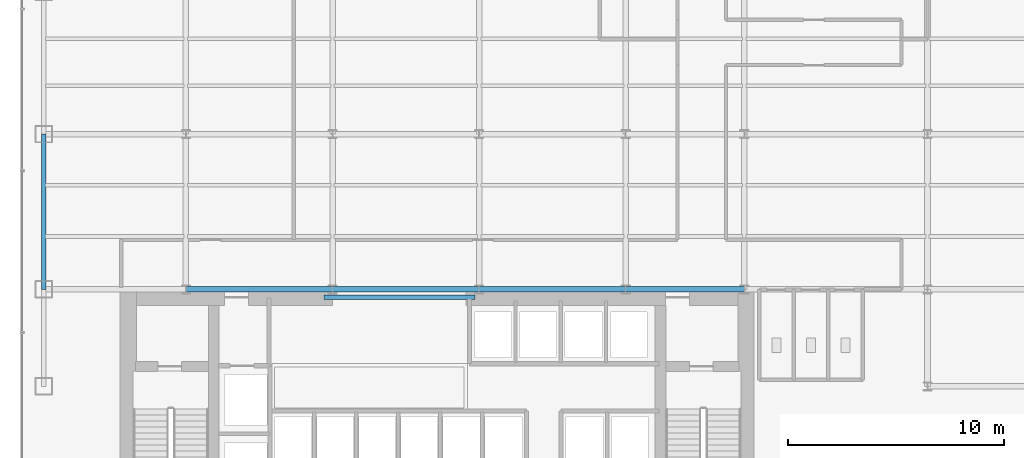
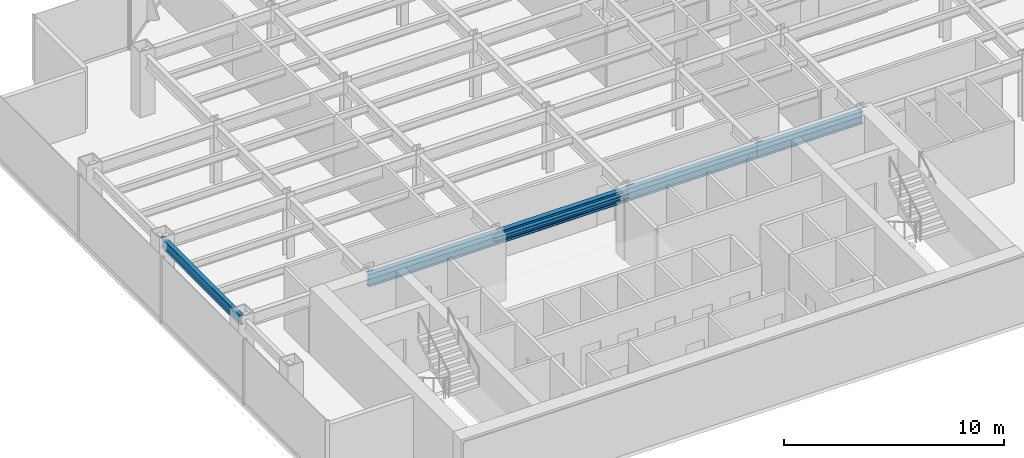
# One storey, part 3 of 26: 6 beams.
"""IFC4 building model written with IfcOpenShell, lengths in metres."""

from ifc_helpers import new_model, si_unit, derived_unit, direction, frame, origin, origin_2d, place, context, subcontext, project, spatial, i_section, extrude, source, transform, mapped, material, material_profile, profile_set, type_object, element, save


model = new_model("IFC4")

# Units and contexts
model_context = context("Model", 3, precision=1e-05, world=origin(), true_north=direction((0.0, 1.0)))
body_context = subcontext(model_context, "Body", "Model", "MODEL_VIEW")
ifc_project = project(units=[si_unit("LENGTHUNIT", "METRE"), si_unit("AREAUNIT", "SQUARE_METRE"), si_unit("VOLUMEUNIT", "CUBIC_METRE"), si_unit("PLANEANGLEUNIT", "RADIAN"), si_unit("MASSUNIT", "GRAM", prefix="KILO"), derived_unit("THERMALTRANSMITTANCEUNIT", [(si_unit("POWERUNIT", "WATT"), 1), (si_unit("LENGTHUNIT", "METRE"), -2), (si_unit("THERMODYNAMICTEMPERATUREUNIT", "KELVIN"), -1)])], contexts=[model_context])

# Site, building, storey
site_placement = place(None, origin())
site = spatial("IfcSite", under=ifc_project, at=site_placement, CompositionType="ELEMENT")
building_placement = place(site_placement, origin())
building = spatial("IfcBuilding", under=site, at=building_placement, Name="Skarnbrae Concourse Arena and Tower", CompositionType="ELEMENT")
storey_placement = place(building_placement, frame((0.0, 0.0, 99.60009765625)))
storey = spatial("IfcBuildingStorey", under=building, at=storey_placement, Name="L24", CompositionType="ELEMENT", Elevation=99.60009765625)

# Beams
ifc_material = material(Name="Steel CSA G40.21 350W", Category="steel")
ifc_material_profile_1 = material_profile(ifc_material, i_section(OverallWidth=0.202880859375, OverallDepth=0.251953125, WebThickness=0.008056640625, FlangeThickness=0.013427734375, at=origin_2d()), Name="W250X58")
ifc_profile_set_1 = profile_set([ifc_material_profile_1], Name="Steel CSA G40.21 350W")
beam_type_1 = type_object("IfcBeamType", Name="BM-LINTEL-W250X58", PredefinedType="LINTEL", material=ifc_profile_set_1)
shared_shape_1 = source(origin(), body_context, "Body", "SweptSolid", [
    extrude(i_section(OverallWidth=0.202880859375, OverallDepth=0.251953125, WebThickness=0.008056640625, FlangeThickness=0.013427734375, at=origin_2d()), origin(), (0.0, 0.0, 1.0), 7.0),
])
beam_1_placement = place(storey_placement, frame((14.0, 13.625, 3.27392578125), z_axis=(1.0, 0.0, 0.0), x_axis=(0.0, 1.0, 0.0)))
element("IfcBeam", 1, at=beam_1_placement, inside=storey, type_object=beam_type_1, Name="L24 Core portal coupling lintel", PredefinedType="LINTEL", context=body_context, shape_type="MappedRepresentation", body=[
    mapped(shared_shape_1, transform((0.0, 0.0, 0.0))),
])
ifc_material_profile_2 = material_profile(ifc_material, i_section(OverallWidth=0.256103515625, OverallDepth=0.693115234375, WebThickness=0.014404296875, FlangeThickness=0.023681640625, at=origin_2d()), Name="W690X170")
ifc_profile_set_2 = profile_set([ifc_material_profile_2], Name="Steel CSA G40.21 350W")
beam_type_2 = type_object("IfcBeamType", Name="BM-GIRD-W690X170", PredefinedType="BEAM", material=ifc_profile_set_2)
shared_shape_2 = source(origin(), body_context, "Body", "SweptSolid", [
    extrude(i_section(OverallWidth=0.256103515625, OverallDepth=0.693115234375, WebThickness=0.014404296875, FlangeThickness=0.023681640625, at=origin_2d()), origin(), (0.0, 0.0, 1.0), 6.7998046875),
])
beam_2_placement = place(storey_placement, frame((7.60009765625, 14.0, 3.053466796875), z_axis=(1.0, 0.0, 0.0), x_axis=(0.0, 1.0, 0.0)))
element("IfcBeam", 2, at=beam_2_placement, inside=storey, type_object=beam_type_2, Name="L24 Primary E-W girder Y14.0-2", PredefinedType="BEAM", context=body_context, shape_type="MappedRepresentation", body=[
    mapped(shared_shape_2, transform((0.0, 0.0, 0.0))),
])
shared_shape_3 = source(origin(), body_context, "Body", "SweptSolid", [
    extrude(i_section(OverallWidth=0.256103515625, OverallDepth=0.693115234375, WebThickness=0.014404296875, FlangeThickness=0.023681640625, at=origin_2d()), origin(), (0.0, 0.0, 1.0), 6.800048828125),
])
for number, where, z_axis, x_axis, name in (
    (3, (14.39990234375, 14.0, 3.053466796875), (1.0, 0.0, 0.0), (0.0, 1.0, 0.0), "L24 Primary E-W girder Y14.0-3"),
    (4, (21.199951171875, 14.0, 3.053466796875), (1.0, 0.0, 0.0), (0.0, 1.0, 0.0), "L24 Primary E-W girder Y14.0-4"),
):
    element("IfcBeam", number, at=place(storey_placement, frame(where, z_axis=z_axis, x_axis=x_axis)), inside=storey, type_object=beam_type_2, Name=name, PredefinedType="BEAM", context=body_context, shape_type="MappedRepresentation", body=[
        mapped(shared_shape_3, transform((0.0, 0.0, 0.0))),
    ])
shared_shape_4 = source(origin(), body_context, "Body", "SweptSolid", [
    extrude(i_section(OverallWidth=0.256103515625, OverallDepth=0.693115234375, WebThickness=0.014404296875, FlangeThickness=0.023681640625, at=origin_2d()), origin(), (0.0, 0.0, 1.0), 5.5),
])
beam_3_placement = place(storey_placement, frame((28.0, 14.0, 3.053466796875), z_axis=(1.0, 0.0, 0.0), x_axis=(0.0, 1.0, 0.0)))
element("IfcBeam", 5, at=beam_3_placement, inside=storey, type_object=beam_type_2, Name="L24 Primary E-W girder Y14.0-5", PredefinedType="BEAM", context=body_context, shape_type="MappedRepresentation", body=[
    mapped(shared_shape_4, transform((0.0, 0.0, 0.0))),
])
ifc_material_profile_3 = material_profile(ifc_material, i_section(OverallWidth=0.208984375, OverallDepth=0.532958984375, WebThickness=0.01025390625, FlangeThickness=0.015625, at=origin_2d()), Name="W530X92")
ifc_profile_set_3 = profile_set([ifc_material_profile_3], Name="Steel CSA G40.21 350W")
beam_type_3 = type_object("IfcBeamType", Name="BM-SPAN-W530X92", PredefinedType="SPANDREL", material=ifc_profile_set_3)
shared_shape_5 = source(origin(), body_context, "Body", "SweptSolid", [
    extrude(i_section(OverallWidth=0.208984375, OverallDepth=0.532958984375, WebThickness=0.01025390625, FlangeThickness=0.015625, at=origin_2d()), origin(), (0.0, 0.0, 1.0), 7.199951171875),
])
beam_4_placement = place(storey_placement, frame((1.0, 14.0, 3.13330078125), z_axis=(0.0, 1.0, 0.0), x_axis=(-1.0, 0.0, 0.0)))
element("IfcBeam", 6, at=beam_4_placement, inside=storey, type_object=beam_type_3, Name="L24 Perimeter spandrel X1.0-2", PredefinedType="SPANDREL", context=body_context, shape_type="MappedRepresentation", body=[
    mapped(shared_shape_5, transform((0.0, 0.0, 0.0))),
])

save(model, "model.ifc")
